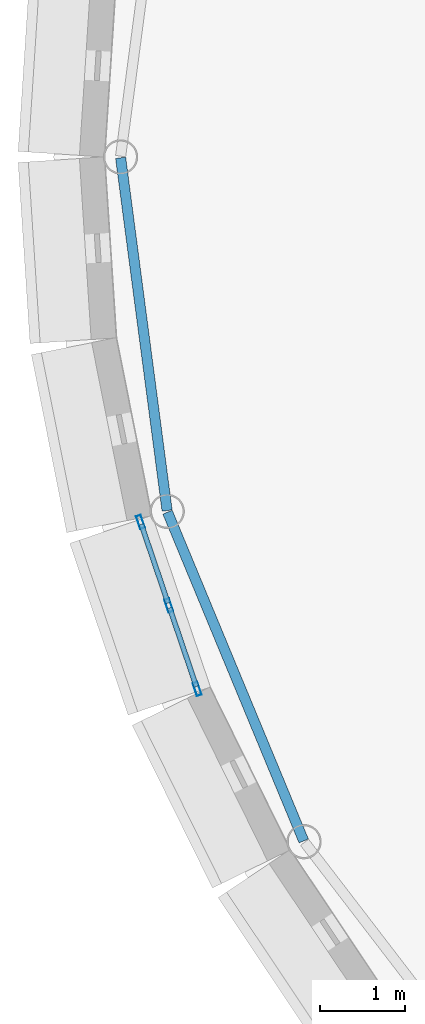
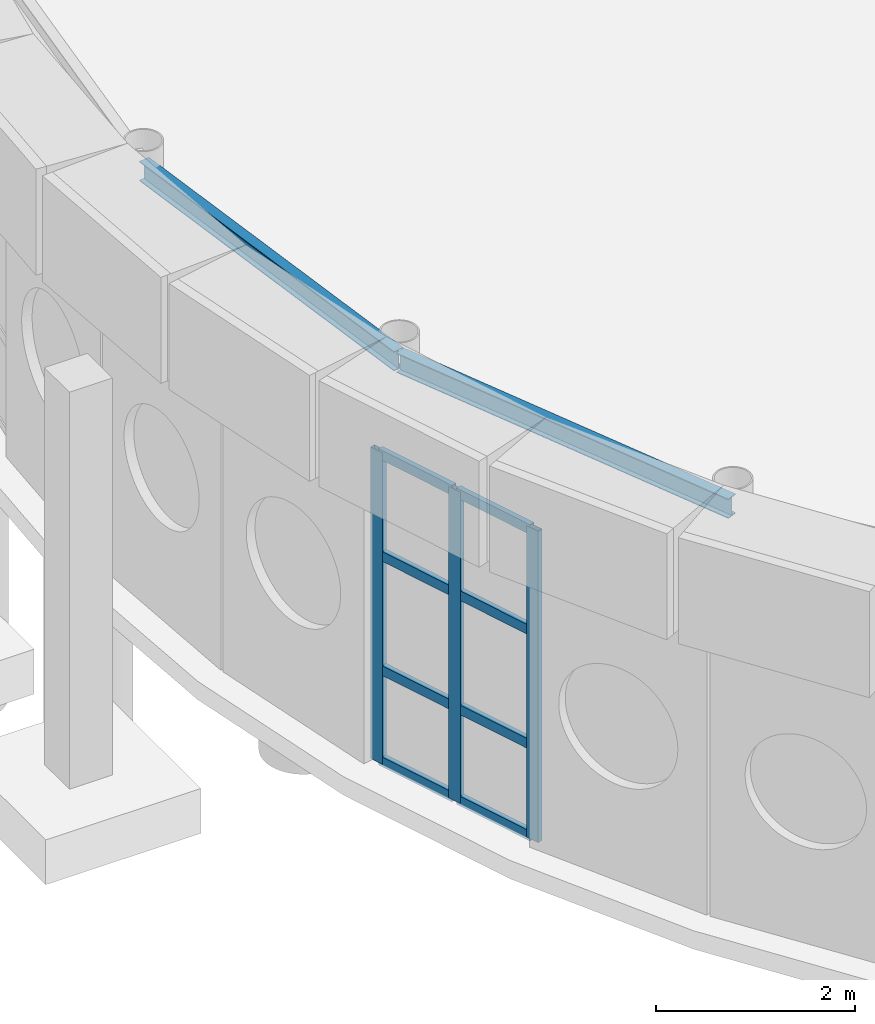
# One storey, part 37 of 109: 11 members, 2 beams, 1 element without a shape of its own.
"""IFC4 building model written with IfcOpenShell, lengths in metres."""

import ifcopenshell
import ifcopenshell.guid

model = None  # the IFC model being written
_history = None  # IfcOwnerHistory: only IFC2X3 demands one
_inside = {}  # id of a spatial element -> (the spatial element, [elements in it])
_under = {}  # id of a project, library or spatial element -> (it, [spatial elements below it])
_declared = {}  # id of a project -> (the project, [libraries it declares])
_typed = {}  # id of a type object -> (the type object, [elements of that type])
_made_of = {}  # id of a material, layer set ... -> (it, [elements and type objects made of it])


def new_model(schema):
    """Start an empty IFC model of exactly this schema.

    Asked for "IFC4X3", IfcOpenShell would pick the latest addendum, in which some entities
    have other attributes; the version numbers below select the first issue.
    IFC2X3 requires an IfcOwnerHistory on every rooted entity: one is made here for all.
    """
    global model, _history
    if schema == "IFC4X3":
        model = ifcopenshell.file(schema_version=(4, 3, 0, 0))
    else:
        model = ifcopenshell.file(schema=schema)
    _inside.clear()
    _under.clear()
    _declared.clear()
    _typed.clear()
    _made_of.clear()
    _history = None
    if model.schema == "IFC2X3":
        org = make("IfcOrganization", Name="unknown")
        user = make(
            "IfcPersonAndOrganization",
            ThePerson=make("IfcPerson", FamilyName="unknown"),
            TheOrganization=org,
        )
        app = make(
            "IfcApplication",
            ApplicationDeveloper=org,
            Version="unknown",
            ApplicationFullName="unknown",
            ApplicationIdentifier="unknown",
        )
        _history = make(
            "IfcOwnerHistory",
            OwningUser=user,
            OwningApplication=app,
            ChangeAction="ADDED",
            CreationDate=0,
        )
    return model


def make(cls, **values):
    """One entity of the class cls with the attributes given. An attribute that is None is left unset."""
    return model.create_entity(
        cls, **{name: value for name, value in values.items() if value is not None}
    )


def rooted(cls, **values):
    """An entity with a GlobalId (a new one), such as an element, a storey or a relation."""
    return make(cls, GlobalId=ifcopenshell.guid.new(), OwnerHistory=_history, **values)


def si_unit(unit_type, name, prefix=None):
    """IfcSIUnit, for example si_unit("LENGTHUNIT", "METRE", prefix="MILLI")."""
    return make("IfcSIUnit", UnitType=unit_type, Prefix=prefix, Name=name)


def assignment(units):
    """IfcUnitAssignment: the units of a project."""
    return None if units is None else make("IfcUnitAssignment", Units=units)


def point(xyz):
    """IfcCartesianPoint."""
    return None if xyz is None else make("IfcCartesianPoint", Coordinates=xyz)


def direction(xyz):
    """IfcDirection."""
    return None if xyz is None else make("IfcDirection", DirectionRatios=xyz)


def frame(location, z_axis=None, x_axis=None):
    """IfcAxis2Placement3D, a coordinate frame: its origin and axes. An axis left out is left unset."""
    return make(
        "IfcAxis2Placement3D",
        Location=point(location),
        Axis=direction(z_axis),
        RefDirection=direction(x_axis),
    )


def frame_2d(location, x_axis=None):
    """IfcAxis2Placement2D, a coordinate frame in the plane: its origin and x axis."""
    return make(
        "IfcAxis2Placement2D", Location=point(location), RefDirection=direction(x_axis)
    )


def origin():
    """The frame at (0, 0, 0) with its axes left unset."""
    return frame((0.0, 0.0, 0.0))


def origin_2d():
    """The frame at (0, 0) in the plane with its x axis left unset."""
    return frame_2d((0.0, 0.0))


def place(relative_to, where):
    """IfcLocalPlacement: puts the frame where relative to a parent placement (None: the world)."""
    return make(
        "IfcLocalPlacement", PlacementRelTo=relative_to, RelativePlacement=where
    )


def context(
    kind, dimensions, precision=None, world=None, true_north=None, identifier=None
):
    """IfcGeometricRepresentationContext, for example the 3D "Model" context."""
    return make(
        "IfcGeometricRepresentationContext",
        ContextIdentifier=identifier,
        ContextType=kind,
        CoordinateSpaceDimension=dimensions,
        Precision=precision,
        WorldCoordinateSystem=world,
        TrueNorth=true_north,
    )


def subcontext(parent, identifier, kind, view, scale=None):
    """IfcGeometricRepresentationSubContext, for example "Body" below "Model"."""
    return make(
        "IfcGeometricRepresentationSubContext",
        ContextIdentifier=identifier,
        ContextType=kind,
        ParentContext=parent,
        TargetScale=scale,
        TargetView=view,
    )


def project(units=None, contexts=None):
    """IfcProject with its units and contexts."""
    return rooted(
        "IfcProject",
        Name="project",
        RepresentationContexts=contexts,
        UnitsInContext=assignment(units),
    )


def spatial(cls, under=None, at=None, **own):
    """A site, building, storey or space (cls), placed at a placement, below another one or the project."""
    s = rooted(cls, ObjectPlacement=at, **own)
    if under is not None:
        _under.setdefault(under.id(), (under, []))[1].append(s)
    return s


def profile(cls, at=None, kind="AREA", **sizes):
    """A parametric profile (cls). Its sizes go by their IFC names, for example OverallWidth=200.0."""
    return make(cls, ProfileType=kind, Position=at, **sizes)


def hollow_rectangle(**sizes):
    """IfcRectangleHollowProfileDef."""
    return profile("IfcRectangleHollowProfileDef", **sizes)


def i_section(**sizes):
    """IfcIShapeProfileDef."""
    return profile("IfcIShapeProfileDef", **sizes)


def extrude(swept, where, along, depth):
    """IfcExtrudedAreaSolid: the profile swept, set in the frame where, extruded along a direction by depth."""
    return make(
        "IfcExtrudedAreaSolid",
        SweptArea=swept,
        Position=where,
        ExtrudedDirection=direction(along),
        Depth=depth,
    )


def shape(context_of_items, identifier, shape_type, items):
    """IfcShapeRepresentation: the items that make up one representation, for example the "Body"."""
    return make(
        "IfcShapeRepresentation",
        ContextOfItems=context_of_items,
        RepresentationIdentifier=identifier,
        RepresentationType=shape_type,
        Items=items,
    )


def material(Name=None, Category=None):
    """IfcMaterial."""
    return make("IfcMaterial", Name=Name, Category=Category)


def layer(
    of_material, thickness, ventilated=None, Name=None, Category=None, Priority=None
):
    """IfcMaterialLayer: one layer of a wall or slab, of a material (None: an air gap)."""
    return make(
        "IfcMaterialLayer",
        Material=of_material,
        LayerThickness=thickness,
        IsVentilated=ventilated,
        Name=Name,
        Category=Category,
        Priority=Priority,
    )


def layer_set(layers, Name=None):
    """IfcMaterialLayerSet."""
    return make("IfcMaterialLayerSet", MaterialLayers=layers, LayerSetName=Name)


def material_profile(
    of_material, cross_section, Name=None, Category=None, Priority=None
):
    """IfcMaterialProfile: a cross section and its material."""
    return make(
        "IfcMaterialProfile",
        Name=Name,
        Material=of_material,
        Profile=cross_section,
        Priority=Priority,
        Category=Category,
    )


def profile_set(profiles, Name=None, composite=None):
    """IfcMaterialProfileSet."""
    return make(
        "IfcMaterialProfileSet",
        Name=Name,
        MaterialProfiles=profiles,
        CompositeProfile=composite,
    )


def made_of(thing, what):
    """Note that an element or type object is made of a material, layer set ...; save() writes the relation."""
    if what is not None:
        _made_of.setdefault(what.id(), (what, []))[1].append(thing)
    return thing


def type_object(cls, material=None, **own):
    """A type object (cls), such as IfcWallType, which elements share."""
    return made_of(rooted(cls, **own), material)


def element(
    cls,
    number,
    at=None,
    inside=None,
    cuts=None,
    type_object=None,
    material=None,
    context=None,
    identifier="Body",
    shape_type=None,
    held_by="IfcProductDefinitionShape",
    body=None,
    shapes=None,
    **own,
):
    """One element of the class cls, such as IfcWall. Its Tag is "e" and its number.

    at: its placement. inside: the storey or other place that contains it. cuts: it is an
    opening in that element (IfcRelVoidsElement). A single representation is given by context,
    identifier, shape_type and body (its items); several are given by shapes. held_by: the class
    of the entity that holds the representations. save() writes the other relations.
    """
    e = rooted(cls, Tag="e%d" % number, ObjectPlacement=at, **own)
    if body is not None:
        shapes = [shape(context, identifier, shape_type, body)]
    if shapes is not None:
        e.Representation = make(held_by, Representations=shapes)
    if inside is not None:
        _inside.setdefault(inside.id(), (inside, []))[1].append(e)
    if cuts is not None:
        rooted(
            "IfcRelVoidsElement", RelatingBuildingElement=cuts, RelatedOpeningElement=e
        )
    if type_object is not None:
        _typed.setdefault(type_object.id(), (type_object, []))[1].append(e)
    return made_of(e, material)


def aggregate(whole, parts):
    """IfcRelAggregates: a whole, such as a stair, and the parts it consists of."""
    return rooted("IfcRelAggregates", RelatingObject=whole, RelatedObjects=parts)


def save(model, path):
    """Write the relations noted so far, then the file.

    IfcRelAggregates (storeys below a building ...), IfcRelContainedInSpatialStructure (elements
    in a storey), IfcRelDefinesByType, IfcRelAssociatesMaterial and IfcRelDeclares: one each for
    every whole, place, type object, material and project.
    """
    for whole, parts in _under.values():
        aggregate(whole, parts)
    for where, things in _inside.values():
        rooted(
            "IfcRelContainedInSpatialStructure",
            RelatedElements=things,
            RelatingStructure=where,
        )
    for kind, things in _typed.values():
        rooted("IfcRelDefinesByType", RelatedObjects=things, RelatingType=kind)
    for what, things in _made_of.values():
        rooted("IfcRelAssociatesMaterial", RelatedObjects=things, RelatingMaterial=what)
    for by, libraries in _declared.values():
        rooted("IfcRelDeclares", RelatingContext=by, RelatedDefinitions=libraries)
    model.write(path)


model = new_model("IFC4")

# Units and contexts
model_context = context("Model", 3, precision=1e-05, world=origin(), true_north=direction((0.0, 1.0)))
body_context = subcontext(model_context, "Body", "Model", "MODEL_VIEW")
ifc_project = project(units=[si_unit("LENGTHUNIT", "METRE"), si_unit("AREAUNIT", "SQUARE_METRE"), si_unit("VOLUMEUNIT", "CUBIC_METRE"), si_unit("PLANEANGLEUNIT", "RADIAN"), si_unit("MASSUNIT", "GRAM", prefix="KILO")], contexts=[model_context])

# Site, building, storey
site_placement = place(None, origin())
site = spatial("IfcSite", under=ifc_project, at=site_placement, CompositionType="ELEMENT")
building_placement = place(site_placement, origin())
building = spatial("IfcBuilding", under=site, at=building_placement, Name="Montecoro Central Library", CompositionType="ELEMENT")
storey_placement = place(building_placement, origin())
storey = spatial("IfcBuildingStorey", under=building, at=storey_placement, Name="L00", CompositionType="ELEMENT", Elevation=0.0)

# Beams
ifc_material_1 = material(Name="Steel S355", Category="steel")
ifc_material_profile_1 = material_profile(ifc_material_1, i_section(OverallWidth=0.1201171875, OverallDepth=0.239990234375, WebThickness=0.006103515625, FlangeThickness=0.009765625, at=origin_2d()), Name="IPE 240")
ifc_profile_set_1 = profile_set([ifc_material_profile_1], Name="Steel S355")
beam_type = type_object("IfcBeamType", Name="BM-SP-IPE240", PredefinedType="SPANDREL", material=ifc_profile_set_1)
beam_1_placement = place(storey_placement, frame((75.4208984375, 35.389892578125, 4.72509765625), z_axis=(0.130607740177, -0.99143412197, 0.0), x_axis=(0.99143412197, 0.130607740177, 0.0)))
element("IfcBeam", 1, at=beam_1_placement, inside=storey, type_object=beam_type, Name="V1-L00-RING-13", PredefinedType="SPANDREL", context=body_context, shape_type="SweptSolid", body=[
    extrude(i_section(OverallWidth=0.1201171875, OverallDepth=0.239990234375, WebThickness=0.006103515625, FlangeThickness=0.009765625, at=origin_2d()), origin(), (0.0, 0.0, 1.0), 4.2041015625),
])
beam_2_placement = place(storey_placement, frame((75.97509765625, 31.202880859375, 4.72509765625), z_axis=(0.382717667995, -0.923865350906, 0.0), x_axis=(0.923865350906, 0.382717667995, 0.0)))
element("IfcBeam", 2, at=beam_2_placement, inside=storey, type_object=beam_type, Name="V1-L00-RING-14", PredefinedType="SPANDREL", context=body_context, shape_type="SweptSolid", body=[
    extrude(i_section(OverallWidth=0.1201171875, OverallDepth=0.239990234375, WebThickness=0.006103515625, FlangeThickness=0.009765625, at=origin_2d()), origin(), (0.0, 0.0, 1.0), 4.203857421875),
])

# Curtain wall, members
ifc_material_2 = material(Name="Bronze-anodised aluminium and low-E glazing", Category="aluminium")
ifc_layer = layer(ifc_material_2, 0.159912109375)
ifc_layer_set = layer_set([ifc_layer], Name="Bronze-anodised aluminium and low-E glazing")
curtain_wall_type = type_object("IfcCurtainWallType", Name="CWT-001", PredefinedType="NOTDEFINED", material=ifc_layer_set)
curtain_wall_placement = place(storey_placement, origin())
curtain_wall = element("IfcCurtainWall", 3, at=curtain_wall_placement, inside=storey, type_object=curtain_wall_type, Name="V1-L00-CW-27", PredefinedType="NOTDEFINED")
ifc_material_3 = material(Name="Bronze-anodised aluminium", Category="aluminium")
ifc_material_profile_2 = material_profile(ifc_material_3, hollow_rectangle(XDim=0.06005859375, YDim=0.159912109375, WallThickness=0.00390625, at=origin_2d()), Name="CWM 160x60x4.0")
ifc_profile_set_2 = profile_set([ifc_material_profile_2], Name="Bronze-anodised aluminium")
member_type_1 = type_object("IfcMemberType", Name="CWM-BRZ-60", PredefinedType="MULLION", material=ifc_profile_set_2)
member_1_placement = place(storey_placement, frame((75.65576171875, 31.087646484375, 0.0), z_axis=(0.0, 0.0, 1.0), x_axis=(0.946943212064, 0.32140092272, 0.0)))
member_1 = element("IfcMember", 4, at=member_1_placement, type_object=member_type_1, Name="CW-001 mullion 1", PredefinedType="MULLION", context=body_context, shape_type="SweptSolid", body=[
    extrude(hollow_rectangle(XDim=0.06005859375, YDim=0.159912109375, WallThickness=0.00390625, at=origin_2d()), origin(), (0.0, 0.0, 1.0), 3.820068359375),
])
member_2_placement = place(storey_placement, frame((75.990478515625, 30.10107421875, 0.0), z_axis=(0.0, 0.0, 1.0), x_axis=(0.946943212064, 0.32140092272, 0.0)))
member_2 = element("IfcMember", 5, at=member_2_placement, type_object=member_type_1, Name="CW-001 mullion 2", PredefinedType="MULLION", context=body_context, shape_type="SweptSolid", body=[
    extrude(hollow_rectangle(XDim=0.06005859375, YDim=0.159912109375, WallThickness=0.00390625, at=origin_2d()), origin(), (0.0, 0.0, 1.0), 3.820068359375),
])
member_3_placement = place(storey_placement, frame((76.325439453125, 29.114501953125, 0.0), z_axis=(0.0, 0.0, 1.0), x_axis=(0.946943212064, 0.32140092272, 0.0)))
member_3 = element("IfcMember", 6, at=member_3_placement, type_object=member_type_1, Name="CW-001 mullion 3", PredefinedType="MULLION", context=body_context, shape_type="SweptSolid", body=[
    extrude(hollow_rectangle(XDim=0.06005859375, YDim=0.159912109375, WallThickness=0.00390625, at=origin_2d()), origin(), (0.0, 0.0, 1.0), 3.820068359375),
])
ifc_material_profile_3 = material_profile(ifc_material_3, hollow_rectangle(XDim=0.06005859375, YDim=0.1201171875, WallThickness=0.00390625, at=origin_2d()), Name="CWT 120x60x4.0")
ifc_profile_set_3 = profile_set([ifc_material_profile_3], Name="Bronze-anodised aluminium")
member_type_2 = type_object("IfcMemberType", Name="CWT-BRZ-60", PredefinedType="USERDEFINED", material=ifc_profile_set_3)
member_4_placement = place(storey_placement, frame((75.665283203125, 31.05908203125, 0.030029296875), z_axis=(0.321519327687, -0.946903016113, 0.0), x_axis=(0.946903016113, 0.321519327687, 0.0)))
member_4 = element("IfcMember", 7, at=member_4_placement, type_object=member_type_2, Name="CW-001 transom 1.1", ObjectType="TRANSOM", PredefinedType="USERDEFINED", context=body_context, shape_type="SweptSolid", body=[
    extrude(hollow_rectangle(XDim=0.06005859375, YDim=0.1201171875, WallThickness=0.00390625, at=origin_2d()), origin(), (0.0, 0.0, 1.0), 0.98193359375),
])
member_5_placement = place(storey_placement, frame((75.665283203125, 31.05908203125, 1.14990234375), z_axis=(0.321519327687, -0.946903016113, 0.0), x_axis=(0.946903016113, 0.321519327687, 0.0)))
member_5 = element("IfcMember", 8, at=member_5_placement, type_object=member_type_2, Name="CW-001 transom 1.2", ObjectType="TRANSOM", PredefinedType="USERDEFINED", context=body_context, shape_type="SweptSolid", body=[
    extrude(hollow_rectangle(XDim=0.06005859375, YDim=0.1201171875, WallThickness=0.00390625, at=origin_2d()), origin(), (0.0, 0.0, 1.0), 0.98193359375),
])
member_6_placement = place(storey_placement, frame((75.665283203125, 31.05908203125, 2.550048828125), z_axis=(0.321519327687, -0.946903016113, 0.0), x_axis=(0.946903016113, 0.321519327687, 0.0)))
member_6 = element("IfcMember", 9, at=member_6_placement, type_object=member_type_2, Name="CW-001 transom 1.3", ObjectType="TRANSOM", PredefinedType="USERDEFINED", context=body_context, shape_type="SweptSolid", body=[
    extrude(hollow_rectangle(XDim=0.06005859375, YDim=0.1201171875, WallThickness=0.00390625, at=origin_2d()), origin(), (0.0, 0.0, 1.0), 0.98193359375),
])
member_7_placement = place(storey_placement, frame((75.665283203125, 31.05908203125, 3.7900390625), z_axis=(0.321519327687, -0.946903016113, 0.0), x_axis=(0.946903016113, 0.321519327687, 0.0)))
member_7 = element("IfcMember", 10, at=member_7_placement, type_object=member_type_2, Name="CW-001 transom 1.4", ObjectType="TRANSOM", PredefinedType="USERDEFINED", context=body_context, shape_type="SweptSolid", body=[
    extrude(hollow_rectangle(XDim=0.06005859375, YDim=0.1201171875, WallThickness=0.00390625, at=origin_2d()), origin(), (0.0, 0.0, 1.0), 0.98193359375),
])
member_8_placement = place(storey_placement, frame((76.000244140625, 30.072509765625, 0.030029296875), z_axis=(0.32129634475, -0.946978700315, 0.0), x_axis=(0.946978700315, 0.32129634475, 0.0)))
member_8 = element("IfcMember", 11, at=member_8_placement, type_object=member_type_2, Name="CW-001 transom 2.1", ObjectType="TRANSOM", PredefinedType="USERDEFINED", context=body_context, shape_type="SweptSolid", body=[
    extrude(hollow_rectangle(XDim=0.06005859375, YDim=0.1201171875, WallThickness=0.00390625, at=origin_2d()), origin(), (0.0, 0.0, 1.0), 0.981689453125),
])
member_9_placement = place(storey_placement, frame((76.000244140625, 30.072509765625, 1.14990234375), z_axis=(0.32129634475, -0.946978700315, 0.0), x_axis=(0.946978700315, 0.32129634475, 0.0)))
member_9 = element("IfcMember", 12, at=member_9_placement, type_object=member_type_2, Name="CW-001 transom 2.2", ObjectType="TRANSOM", PredefinedType="USERDEFINED", context=body_context, shape_type="SweptSolid", body=[
    extrude(hollow_rectangle(XDim=0.06005859375, YDim=0.1201171875, WallThickness=0.00390625, at=origin_2d()), origin(), (0.0, 0.0, 1.0), 0.981689453125),
])
member_10_placement = place(storey_placement, frame((76.000244140625, 30.072509765625, 2.550048828125), z_axis=(0.32129634475, -0.946978700315, 0.0), x_axis=(0.946978700315, 0.32129634475, 0.0)))
member_10 = element("IfcMember", 13, at=member_10_placement, type_object=member_type_2, Name="CW-001 transom 2.3", ObjectType="TRANSOM", PredefinedType="USERDEFINED", context=body_context, shape_type="SweptSolid", body=[
    extrude(hollow_rectangle(XDim=0.06005859375, YDim=0.1201171875, WallThickness=0.00390625, at=origin_2d()), origin(), (0.0, 0.0, 1.0), 0.981689453125),
])
member_11_placement = place(storey_placement, frame((76.000244140625, 30.072509765625, 3.7900390625), z_axis=(0.32129634475, -0.946978700315, 0.0), x_axis=(0.946978700315, 0.32129634475, 0.0)))
member_11 = element("IfcMember", 14, at=member_11_placement, type_object=member_type_2, Name="CW-001 transom 2.4", ObjectType="TRANSOM", PredefinedType="USERDEFINED", context=body_context, shape_type="SweptSolid", body=[
    extrude(hollow_rectangle(XDim=0.06005859375, YDim=0.1201171875, WallThickness=0.00390625, at=origin_2d()), origin(), (0.0, 0.0, 1.0), 0.981689453125),
])
aggregate(curtain_wall, [member_1, member_2, member_3, member_4, member_5, member_6, member_7, member_8, member_9, member_10, member_11])

save(model, "model.ifc")
